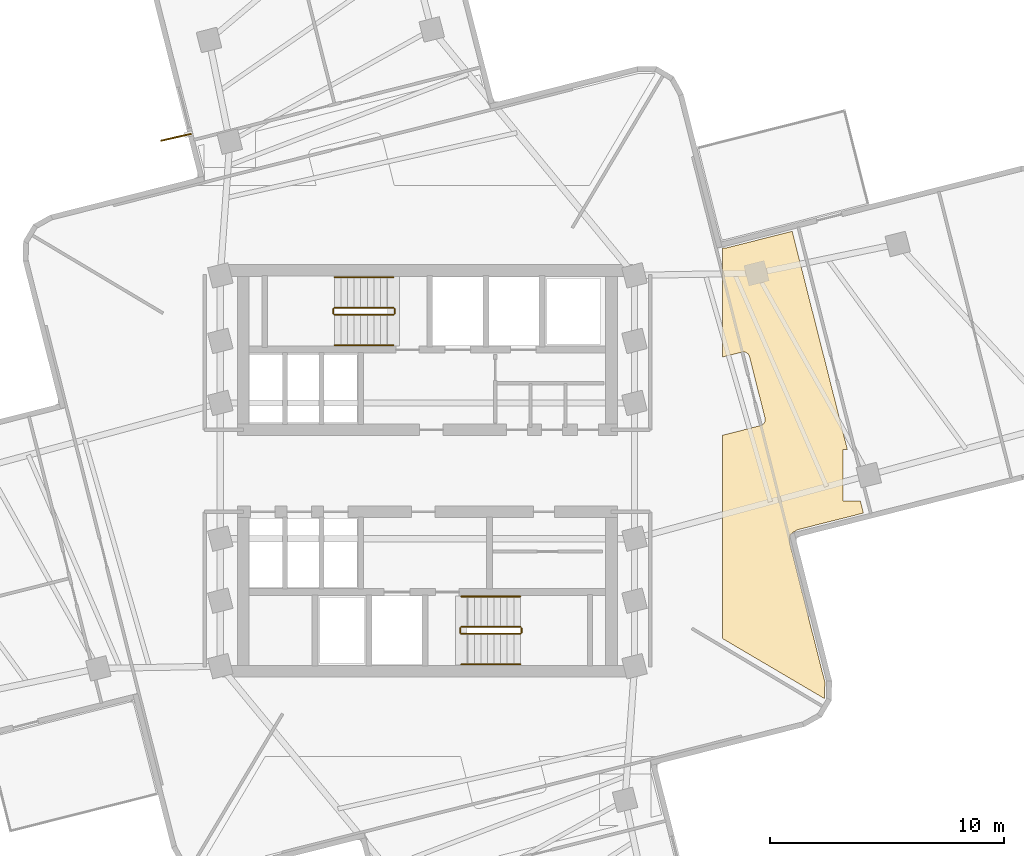
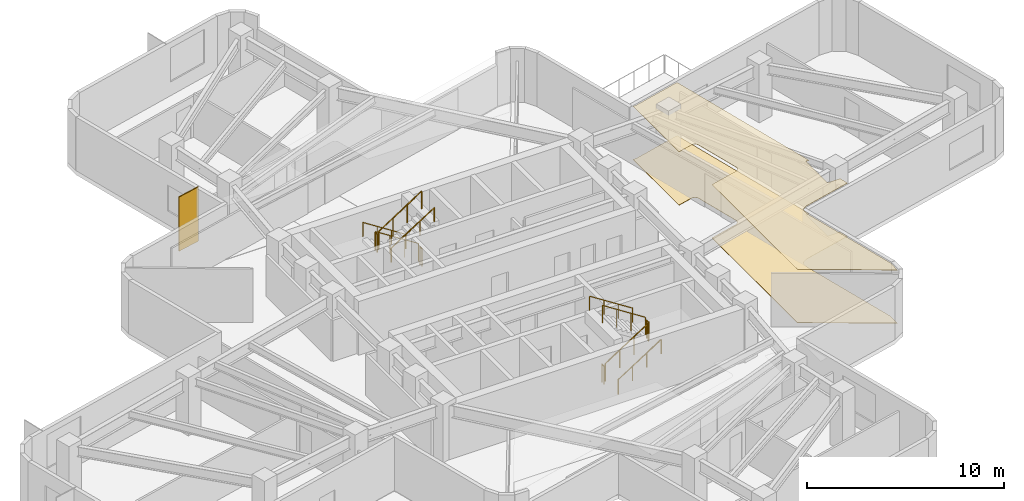
# One storey, part 8 of 9: 12 railings, 2 coverings, 1 shading device.
"""IFC4 building model written with IfcOpenShell, lengths in metres."""

from ifc_helpers import new_model, si_unit, direction, frame, origin, origin_2d, place, context, subcontext, project, spatial, polyline, rectangle, circle, outline, extrude, material, layer, layer_set, type_object, element, save


model = new_model("IFC4")

# Units and contexts
model_context = context("Model", 3, precision=1e-05, world=origin(), true_north=direction((0.0, 1.0)))
body_context = subcontext(model_context, "Body", "Model", "MODEL_VIEW")
ifc_project = project(units=[si_unit("LENGTHUNIT", "METRE"), si_unit("AREAUNIT", "SQUARE_METRE"), si_unit("VOLUMEUNIT", "CUBIC_METRE"), si_unit("PLANEANGLEUNIT", "RADIAN"), si_unit("MASSUNIT", "GRAM", prefix="KILO")], contexts=[model_context])

# Site, building, storey
site_placement = place(None, origin())
site = spatial("IfcSite", under=ifc_project, at=site_placement, CompositionType="ELEMENT")
building_placement = place(site_placement, origin())
building = spatial("IfcBuilding", under=site, at=building_placement, Name="Solmarez Civic Tower", CompositionType="ELEMENT")
storey_placement = place(building_placement, frame((0.0, 0.0, 130.679931640625)))
storey = spatial("IfcBuildingStorey", under=building, at=storey_placement, Name="L34", CompositionType="ELEMENT", Elevation=130.679931640625)

# Coverings
ifc_material_1 = material(Name="Perforated Mineral-Fibre Acoustic Ceiling")
ifc_layer_1 = layer(ifc_material_1, 0.02490234375)
ifc_layer_set_1 = layer_set([ifc_layer_1], Name="Perforated Mineral-Fibre Acoustic Ceiling")
covering_type_1 = type_object("IfcCoveringType", Name="COV-CEIL-ACOUSTIC", PredefinedType="CEILING", material=ifc_layer_set_1)
covering_1_placement = place(storey_placement, frame((0.0, 0.0, 3.295166015625)))
element("IfcCovering", 1, at=covering_1_placement, inside=storey, type_object=covering_type_1, Name="L34 Suspended Acoustic Ceiling 1", PredefinedType="CEILING", context=body_context, shape_type="SweptSolid", body=[
    extrude(outline(polyline([(12.60009765625, 9.527099609375), (12.60009765625, 4.85888671875), (13.43701171875, 5.070068359375), (13.443115234375, 5.072021484375), (13.451904296875, 5.073974609375), (13.47607421875, 5.077880859375), (13.5, 5.0791015625), (13.5048828125, 5.0791015625), (13.527099609375, 5.077880859375), (13.531982421875, 5.076904296875), (13.5380859375, 5.076904296875), (13.56103515625, 5.072998046875), (13.5830078125, 5.06689453125), (13.60400390625, 5.05908203125), (13.611083984375, 5.055908203125), (13.633056640625, 5.0458984375), (13.653076171875, 5.033935546875), (13.672119140625, 5.01904296875), (13.678955078125, 5.012939453125), (13.69189453125, 5.001953125), (13.698974609375, 4.9951171875), (13.718994140625, 4.970947265625), (13.721923828125, 4.967041015625), (13.736083984375, 4.946044921875), (13.7470703125, 4.924072265625), (13.7509765625, 4.9150390625), (13.760009765625, 4.89306640625), (13.763916015625, 4.875), (14.426025390625, 2.258056640625), (14.428955078125, 2.2470703125), (14.429931640625, 2.241943359375), (14.43310546875, 2.222900390625), (14.43408203125, 2.214111328125), (14.43505859375, 2.19091796875), (14.43408203125, 2.16796875), (14.43310546875, 2.157958984375), (14.428955078125, 2.135009765625), (14.423095703125, 2.112060546875), (14.4150390625, 2.091064453125), (14.412109375, 2.083984375), (14.402099609375, 2.06201171875), (14.389892578125, 2.0419921875), (14.375, 2.02294921875), (14.3701171875, 2.01708984375), (14.362060546875, 2.007080078125), (14.346923828125, 1.991943359375), (14.3310546875, 1.97900390625), (14.322998046875, 1.972900390625), (14.302001953125, 1.958984375), (14.280029296875, 1.947998046875), (14.27099609375, 1.944091796875), (14.2490234375, 1.93505859375), (14.23095703125, 1.930908203125), (12.60009765625, 1.51708984375), (12.60009765625, -7.1630859375), (16.968017578125, -9.735107421875), (16.971923828125, -9.72900390625), (16.98193359375, -9.02099609375), (15.489990234375, -3.1259765625), (15.486083984375, -3.10791015625), (15.485107421875, -3.10205078125), (15.48388671875, -3.096923828125), (15.48291015625, -3.090087890625), (15.48095703125, -3.05908203125), (15.48095703125, -3.049072265625), (15.48291015625, -2.876953125), (15.485107421875, -2.85302734375), (15.486083984375, -2.841064453125), (15.487060546875, -2.833984375), (15.491943359375, -2.81201171875), (15.493896484375, -2.803955078125), (15.4990234375, -2.787109375), (15.5048828125, -2.77001953125), (15.508056640625, -2.762939453125), (15.510986328125, -2.756103515625), (15.52001953125, -2.738037109375), (15.530029296875, -2.720947265625), (15.5400390625, -2.7041015625), (15.552001953125, -2.68896484375), (15.56494140625, -2.674072265625), (15.570068359375, -2.6689453125), (15.5849609375, -2.656005859375), (15.591064453125, -2.65087890625), (15.596923828125, -2.64599609375), (15.615966796875, -2.632080078125), (15.6220703125, -2.6279296875), (15.636962890625, -2.618896484375), (15.7880859375, -2.534912109375), (15.797119140625, -2.530029296875), (15.802978515625, -2.527099609375), (15.80908203125, -2.52392578125), (15.826904296875, -2.51611328125), (15.846923828125, -2.509033203125), (15.85400390625, -2.507080078125), (15.860107421875, -2.506103515625), (18.632080078125, -1.804931640625), (18.5, -1.282958984375), (17.760009765625, -1.282958984375), (17.760009765625, 0.9169921875), (17.943115234375, 0.9169921875), (15.5859375, 10.236083984375), (12.81201171875, 9.533935546875), (12.79296875, 9.530029296875), (12.77197265625, 9.527099609375), (12.762939453125, 9.527099609375), (12.7529296875, 9.52490234375), (12.735107421875, 9.52490234375), (12.60009765625, 9.527099609375)])), origin(), (0.0, 0.0, 1.0), 0.02490234375),
])
ifc_material_2 = material(Name="Polished Tropical Stone Terrazzo Flooring", Category="masonry")
ifc_layer_2 = layer(ifc_material_2, 0.02001953125)
ifc_layer_set_2 = layer_set([ifc_layer_2], Name="Polished Tropical Stone Terrazzo Flooring")
covering_type_2 = type_object("IfcCoveringType", Name="COV-FLOOR-TERRAZZO", PredefinedType="FLOORING", material=ifc_layer_set_2)
covering_2_placement = place(storey_placement, origin())
element("IfcCovering", 2, at=covering_2_placement, inside=storey, type_object=covering_type_2, Name="L34 Terrazzo Floor Finish 1", PredefinedType="FLOORING", context=body_context, shape_type="SweptSolid", body=[
    extrude(outline(polyline([(12.60009765625, 9.527099609375), (12.60009765625, 4.85888671875), (13.43701171875, 5.070068359375), (13.443115234375, 5.072021484375), (13.451904296875, 5.073974609375), (13.47607421875, 5.077880859375), (13.5, 5.0791015625), (13.5048828125, 5.0791015625), (13.527099609375, 5.077880859375), (13.531982421875, 5.076904296875), (13.5380859375, 5.076904296875), (13.56103515625, 5.072998046875), (13.5830078125, 5.06689453125), (13.60400390625, 5.05908203125), (13.611083984375, 5.055908203125), (13.633056640625, 5.0458984375), (13.653076171875, 5.033935546875), (13.672119140625, 5.01904296875), (13.678955078125, 5.012939453125), (13.69189453125, 5.001953125), (13.698974609375, 4.9951171875), (13.718994140625, 4.970947265625), (13.721923828125, 4.967041015625), (13.736083984375, 4.946044921875), (13.7470703125, 4.924072265625), (13.7509765625, 4.9150390625), (13.760009765625, 4.89306640625), (13.763916015625, 4.875), (14.426025390625, 2.258056640625), (14.428955078125, 2.2470703125), (14.429931640625, 2.241943359375), (14.43310546875, 2.222900390625), (14.43408203125, 2.214111328125), (14.43505859375, 2.19091796875), (14.43408203125, 2.16796875), (14.43310546875, 2.157958984375), (14.428955078125, 2.135009765625), (14.423095703125, 2.112060546875), (14.4150390625, 2.091064453125), (14.412109375, 2.083984375), (14.402099609375, 2.06201171875), (14.389892578125, 2.0419921875), (14.375, 2.02294921875), (14.3701171875, 2.01708984375), (14.362060546875, 2.007080078125), (14.346923828125, 1.991943359375), (14.3310546875, 1.97900390625), (14.322998046875, 1.972900390625), (14.302001953125, 1.958984375), (14.280029296875, 1.947998046875), (14.27099609375, 1.944091796875), (14.2490234375, 1.93505859375), (14.23095703125, 1.930908203125), (12.60009765625, 1.51708984375), (12.60009765625, -7.1630859375), (16.968017578125, -9.735107421875), (16.971923828125, -9.72900390625), (16.98193359375, -9.02099609375), (15.489990234375, -3.1259765625), (15.486083984375, -3.10791015625), (15.485107421875, -3.10205078125), (15.48388671875, -3.096923828125), (15.48291015625, -3.090087890625), (15.48095703125, -3.05908203125), (15.48095703125, -3.049072265625), (15.48291015625, -2.876953125), (15.485107421875, -2.85302734375), (15.486083984375, -2.841064453125), (15.487060546875, -2.833984375), (15.491943359375, -2.81201171875), (15.493896484375, -2.803955078125), (15.4990234375, -2.787109375), (15.5048828125, -2.77001953125), (15.508056640625, -2.762939453125), (15.510986328125, -2.756103515625), (15.52001953125, -2.738037109375), (15.530029296875, -2.720947265625), (15.5400390625, -2.7041015625), (15.552001953125, -2.68896484375), (15.56494140625, -2.674072265625), (15.570068359375, -2.6689453125), (15.5849609375, -2.656005859375), (15.591064453125, -2.65087890625), (15.596923828125, -2.64599609375), (15.615966796875, -2.632080078125), (15.6220703125, -2.6279296875), (15.636962890625, -2.618896484375), (15.7880859375, -2.534912109375), (15.797119140625, -2.530029296875), (15.802978515625, -2.527099609375), (15.80908203125, -2.52392578125), (15.826904296875, -2.51611328125), (15.846923828125, -2.509033203125), (15.85400390625, -2.507080078125), (15.860107421875, -2.506103515625), (18.632080078125, -1.804931640625), (18.5, -1.282958984375), (17.760009765625, -1.282958984375), (17.760009765625, 0.9169921875), (17.943115234375, 0.9169921875), (15.5859375, 10.236083984375), (12.81201171875, 9.533935546875), (12.79296875, 9.530029296875), (12.77197265625, 9.527099609375), (12.762939453125, 9.527099609375), (12.7529296875, 9.52490234375), (12.735107421875, 9.52490234375), (12.60009765625, 9.527099609375)])), origin(), (0.0, 0.0, 1.0), 0.02001953125),
])

# Shading device
ifc_material_3 = material(Name="Bronze Anodised Aluminium EN AW-6063 T6", Category="aluminium")
ifc_layer_3 = layer(ifc_material_3, 0.06005859375)
ifc_layer_set_3 = layer_set([ifc_layer_3], Name="Bronze Anodised Aluminium EN AW-6063 T6")
shading_device_type = type_object("IfcShadingDeviceType", Name="FIN-BRONZE-Z34", PredefinedType="USERDEFINED", material=ifc_layer_set_3)
shading_device_placement = place(storey_placement, frame((-10.739013671875, 14.25390625, -0.0400390625), z_axis=(0.0, 0.0, 1.0), x_axis=(-0.975392370062, -0.22047613119, 0.0)))
element("IfcShadingDevice", 3, at=shading_device_placement, inside=storey, type_object=shading_device_type, Name="L34 Anodised Bronze Solar Fin FIN-L34-03", ObjectType="FIN", PredefinedType="USERDEFINED", context=body_context, shape_type="SweptSolid", body=[
    extrude(rectangle(XDim=1.35009765625, YDim=0.06005859375, at=origin_2d()), origin(), (0.0, 0.0, 1.0), 3.360107421875),
])

# Railings
ifc_material_4 = material(Name="Painted Steel Stairwell Safety Guard", Category="steel")
railing_type_1 = type_object("IfcRailingType", Name="GUARD-STAIR-1120", PredefinedType="BALUSTRADE", material=ifc_material_4)
railing_1_placement = place(storey_placement, frame((-1.449951171875, 6.969970703125, 0.18017578125)))
element("IfcRailing", 4, at=railing_1_placement, inside=storey, type_object=railing_type_1, Name="L34 ST-1 stair guard 1", PredefinedType="BALUSTRADE", context=body_context, shape_type="SweptSolid", body=[
    extrude(circle(Radius=0.02392578125, at=origin_2d()), frame((0.0, 0.0, 1.09619140625), z_axis=(-0.841199657755, 0.0, 0.540724639528), x_axis=(0.0, -1.0, 0.0)), (0.0, 0.0, 1.0), 2.995849609375),
    extrude(circle(Radius=0.02099609375, at=origin_2d()), origin(), (0.0, 0.0, 1.0), 1.072021484375),
    extrude(circle(Radius=0.02099609375, at=origin_2d()), frame((-0.840087890625, 0.0, 0.5400390625)), (0.0, 0.0, 1.0), 1.072021484375),
    extrude(circle(Radius=0.02099609375, at=origin_2d()), frame((-1.679931640625, 0.0, 1.079833984375)), (0.0, 0.0, 1.0), 1.072021484375),
    extrude(circle(Radius=0.02099609375, at=origin_2d()), frame((-2.52001953125, 0.0, 1.619873046875)), (0.0, 0.0, 1.0), 1.072021484375),
])
railing_2_placement = place(storey_placement, frame((-4.02001953125, 6.919921875, 1.800048828125)))
element("IfcRailing", 5, at=railing_2_placement, inside=storey, type_object=railing_type_1, Name="L34 ST-1 stair guard 2", PredefinedType="BALUSTRADE", context=body_context, shape_type="SweptSolid", body=[
    extrude(circle(Radius=0.02392578125, at=origin_2d()), frame((0.0, 0.0, 1.09619140625), z_axis=(0.0, -1.0, 0.0), x_axis=(1.0, 0.0, 0.0)), (0.0, 0.0, 1.0), 0.199951171875),
    extrude(circle(Radius=0.02099609375, at=origin_2d()), origin(), (0.0, 0.0, 1.0), 1.072021484375),
    extrude(circle(Radius=0.02099609375, at=origin_2d()), frame((0.0, -0.199951171875, 0.0)), (0.0, 0.0, 1.0), 1.072021484375),
])
railing_3_placement = place(storey_placement, frame((-3.969970703125, 6.669921875, 1.97998046875)))
element("IfcRailing", 6, at=railing_3_placement, inside=storey, type_object=railing_type_1, Name="L34 ST-1 stair guard 3", PredefinedType="BALUSTRADE", context=body_context, shape_type="SweptSolid", body=[
    extrude(circle(Radius=0.02392578125, at=origin_2d()), frame((0.0, 0.0, 1.09619140625), z_axis=(0.841162588446, 0.0, 0.540782303519), x_axis=(0.0, 1.0, 0.0)), (0.0, 0.0, 1.0), 2.995849609375),
    extrude(circle(Radius=0.02099609375, at=origin_2d()), origin(), (0.0, 0.0, 1.0), 1.072021484375),
    extrude(circle(Radius=0.02099609375, at=origin_2d()), frame((0.840087890625, 0.0, 0.5400390625)), (0.0, 0.0, 1.0), 1.072021484375),
    extrude(circle(Radius=0.02099609375, at=origin_2d()), frame((1.679931640625, 0.0, 1.080078125)), (0.0, 0.0, 1.0), 1.072021484375),
    extrude(circle(Radius=0.02099609375, at=origin_2d()), frame((2.52001953125, 0.0, 1.6201171875)), (0.0, 0.0, 1.0), 1.072021484375),
])
railing_4_placement = place(storey_placement, frame((-1.39990234375, 6.919921875, 0.0)))
element("IfcRailing", 7, at=railing_4_placement, inside=storey, type_object=railing_type_1, Name="L34 ST-1 stair guard 4", PredefinedType="BALUSTRADE", context=body_context, shape_type="SweptSolid", body=[
    extrude(circle(Radius=0.02392578125, at=origin_2d()), frame((0.0, 0.0, 1.09619140625), z_axis=(0.0, -1.0, 0.0), x_axis=(1.0, 0.0, 0.0)), (0.0, 0.0, 1.0), 0.199951171875),
    extrude(circle(Radius=0.02099609375, at=origin_2d()), origin(), (0.0, 0.0, 1.0), 1.072021484375),
    extrude(circle(Radius=0.02099609375, at=origin_2d()), frame((0.0, -0.199951171875, 0.0)), (0.0, 0.0, 1.0), 1.072021484375),
])
railing_5_placement = place(storey_placement, frame((1.449951171875, -6.969970703125, 0.18017578125)))
element("IfcRailing", 8, at=railing_5_placement, inside=storey, type_object=railing_type_1, Name="L34 ST-2 stair guard 1", PredefinedType="BALUSTRADE", context=body_context, shape_type="SweptSolid", body=[
    extrude(circle(Radius=0.02392578125, at=origin_2d()), frame((0.0, 0.0, 1.09619140625), z_axis=(0.841199657755, 0.0, 0.540724639528), x_axis=(0.0, 1.0, 0.0)), (0.0, 0.0, 1.0), 2.995849609375),
    extrude(circle(Radius=0.02099609375, at=origin_2d()), origin(), (0.0, 0.0, 1.0), 1.072021484375),
    extrude(circle(Radius=0.02099609375, at=origin_2d()), frame((0.840087890625, 0.0, 0.5400390625)), (0.0, 0.0, 1.0), 1.072021484375),
    extrude(circle(Radius=0.02099609375, at=origin_2d()), frame((1.679931640625, 0.0, 1.079833984375)), (0.0, 0.0, 1.0), 1.072021484375),
    extrude(circle(Radius=0.02099609375, at=origin_2d()), frame((2.52001953125, 0.0, 1.619873046875)), (0.0, 0.0, 1.0), 1.072021484375),
])
railing_6_placement = place(storey_placement, frame((4.02001953125, -6.919921875, 1.800048828125)))
element("IfcRailing", 9, at=railing_6_placement, inside=storey, type_object=railing_type_1, Name="L34 ST-2 stair guard 2", PredefinedType="BALUSTRADE", context=body_context, shape_type="SweptSolid", body=[
    extrude(circle(Radius=0.02392578125, at=origin_2d()), frame((0.0, 0.0, 1.09619140625), z_axis=(0.0, 1.0, 0.0), x_axis=(-1.0, 0.0, 0.0)), (0.0, 0.0, 1.0), 0.199951171875),
    extrude(circle(Radius=0.02099609375, at=origin_2d()), origin(), (0.0, 0.0, 1.0), 1.072021484375),
    extrude(circle(Radius=0.02099609375, at=origin_2d()), frame((0.0, 0.199951171875, 0.0)), (0.0, 0.0, 1.0), 1.072021484375),
])
railing_7_placement = place(storey_placement, frame((3.969970703125, -6.669921875, 1.97998046875)))
element("IfcRailing", 10, at=railing_7_placement, inside=storey, type_object=railing_type_1, Name="L34 ST-2 stair guard 3", PredefinedType="BALUSTRADE", context=body_context, shape_type="SweptSolid", body=[
    extrude(circle(Radius=0.02392578125, at=origin_2d()), frame((0.0, 0.0, 1.09619140625), z_axis=(-0.841162588446, 0.0, 0.540782303519), x_axis=(0.0, -1.0, 0.0)), (0.0, 0.0, 1.0), 2.995849609375),
    extrude(circle(Radius=0.02099609375, at=origin_2d()), origin(), (0.0, 0.0, 1.0), 1.072021484375),
    extrude(circle(Radius=0.02099609375, at=origin_2d()), frame((-0.840087890625, 0.0, 0.5400390625)), (0.0, 0.0, 1.0), 1.072021484375),
    extrude(circle(Radius=0.02099609375, at=origin_2d()), frame((-1.679931640625, 0.0, 1.080078125)), (0.0, 0.0, 1.0), 1.072021484375),
    extrude(circle(Radius=0.02099609375, at=origin_2d()), frame((-2.52001953125, 0.0, 1.6201171875)), (0.0, 0.0, 1.0), 1.072021484375),
])
railing_8_placement = place(storey_placement, frame((1.39990234375, -6.919921875, 0.0)))
element("IfcRailing", 11, at=railing_8_placement, inside=storey, type_object=railing_type_1, Name="L34 ST-2 stair guard 4", PredefinedType="BALUSTRADE", context=body_context, shape_type="SweptSolid", body=[
    extrude(circle(Radius=0.02392578125, at=origin_2d()), frame((0.0, 0.0, 1.09619140625), z_axis=(0.0, 1.0, 0.0), x_axis=(-1.0, 0.0, 0.0)), (0.0, 0.0, 1.0), 0.199951171875),
    extrude(circle(Radius=0.02099609375, at=origin_2d()), origin(), (0.0, 0.0, 1.0), 1.072021484375),
    extrude(circle(Radius=0.02099609375, at=origin_2d()), frame((0.0, 0.199951171875, 0.0)), (0.0, 0.0, 1.0), 1.072021484375),
])
ifc_material_5 = material(Name="Brushed Stainless Steel Tube Handrail", Category="steel")
railing_type_2 = type_object("IfcRailingType", Name="HANDRAIL-STAIR-900", PredefinedType="HANDRAIL", material=ifc_material_5)
railing_9_placement = place(storey_placement, frame((-1.449951171875, 8.27001953125, 0.18017578125)))
element("IfcRailing", 12, at=railing_9_placement, inside=storey, type_object=railing_type_2, Name="L34 ST-1 stair handrail 1", PredefinedType="HANDRAIL", context=body_context, shape_type="SweptSolid", body=[
    extrude(circle(Radius=0.02392578125, at=origin_2d()), frame((0.0, 0.0, 0.8759765625), z_axis=(-0.841199657755, 0.0, 0.540724639528), x_axis=(0.0, -1.0, 0.0)), (0.0, 0.0, 1.0), 2.995849609375),
    extrude(circle(Radius=0.02099609375, at=origin_2d()), origin(), (0.0, 0.0, 1.0), 0.851806640625),
    extrude(circle(Radius=0.02099609375, at=origin_2d()), frame((-0.840087890625, 0.0, 0.5400390625)), (0.0, 0.0, 1.0), 0.851806640625),
    extrude(circle(Radius=0.02099609375, at=origin_2d()), frame((-1.679931640625, 0.0, 1.079833984375)), (0.0, 0.0, 1.0), 0.851806640625),
    extrude(circle(Radius=0.02099609375, at=origin_2d()), frame((-2.52001953125, 0.0, 1.619873046875)), (0.0, 0.0, 1.0), 0.851806640625),
])
railing_10_placement = place(storey_placement, frame((-3.969970703125, 5.3701171875, 1.97998046875)))
element("IfcRailing", 13, at=railing_10_placement, inside=storey, type_object=railing_type_2, Name="L34 ST-1 stair handrail 2", PredefinedType="HANDRAIL", context=body_context, shape_type="SweptSolid", body=[
    extrude(circle(Radius=0.02392578125, at=origin_2d()), frame((0.0, 0.0, 0.8759765625), z_axis=(0.841162588446, 0.0, 0.540782303519), x_axis=(0.0, 1.0, 0.0)), (0.0, 0.0, 1.0), 2.995849609375),
    extrude(circle(Radius=0.02099609375, at=origin_2d()), origin(), (0.0, 0.0, 1.0), 0.851806640625),
    extrude(circle(Radius=0.02099609375, at=origin_2d()), frame((0.840087890625, 0.0, 0.5400390625)), (0.0, 0.0, 1.0), 0.851806640625),
    extrude(circle(Radius=0.02099609375, at=origin_2d()), frame((1.679931640625, 0.0, 1.080078125)), (0.0, 0.0, 1.0), 0.851806640625),
    extrude(circle(Radius=0.02099609375, at=origin_2d()), frame((2.52001953125, 0.0, 1.6201171875)), (0.0, 0.0, 1.0), 0.851806640625),
])
railing_11_placement = place(storey_placement, frame((1.449951171875, -8.27001953125, 0.18017578125)))
element("IfcRailing", 14, at=railing_11_placement, inside=storey, type_object=railing_type_2, Name="L34 ST-2 stair handrail 1", PredefinedType="HANDRAIL", context=body_context, shape_type="SweptSolid", body=[
    extrude(circle(Radius=0.02392578125, at=origin_2d()), frame((0.0, 0.0, 0.8759765625), z_axis=(0.841199657755, 0.0, 0.540724639528), x_axis=(0.0, 1.0, 0.0)), (0.0, 0.0, 1.0), 2.995849609375),
    extrude(circle(Radius=0.02099609375, at=origin_2d()), origin(), (0.0, 0.0, 1.0), 0.851806640625),
    extrude(circle(Radius=0.02099609375, at=origin_2d()), frame((0.840087890625, 0.0, 0.5400390625)), (0.0, 0.0, 1.0), 0.851806640625),
    extrude(circle(Radius=0.02099609375, at=origin_2d()), frame((1.679931640625, 0.0, 1.079833984375)), (0.0, 0.0, 1.0), 0.851806640625),
    extrude(circle(Radius=0.02099609375, at=origin_2d()), frame((2.52001953125, 0.0, 1.619873046875)), (0.0, 0.0, 1.0), 0.851806640625),
])
railing_12_placement = place(storey_placement, frame((3.969970703125, -5.3701171875, 1.97998046875)))
element("IfcRailing", 15, at=railing_12_placement, inside=storey, type_object=railing_type_2, Name="L34 ST-2 stair handrail 2", PredefinedType="HANDRAIL", context=body_context, shape_type="SweptSolid", body=[
    extrude(circle(Radius=0.02392578125, at=origin_2d()), frame((0.0, 0.0, 0.8759765625), z_axis=(-0.841162588446, 0.0, 0.540782303519), x_axis=(0.0, -1.0, 0.0)), (0.0, 0.0, 1.0), 2.995849609375),
    extrude(circle(Radius=0.02099609375, at=origin_2d()), origin(), (0.0, 0.0, 1.0), 0.851806640625),
    extrude(circle(Radius=0.02099609375, at=origin_2d()), frame((-0.840087890625, 0.0, 0.5400390625)), (0.0, 0.0, 1.0), 0.851806640625),
    extrude(circle(Radius=0.02099609375, at=origin_2d()), frame((-1.679931640625, 0.0, 1.080078125)), (0.0, 0.0, 1.0), 0.851806640625),
    extrude(circle(Radius=0.02099609375, at=origin_2d()), frame((-2.52001953125, 0.0, 1.6201171875)), (0.0, 0.0, 1.0), 0.851806640625),
])

save(model, "model.ifc")
